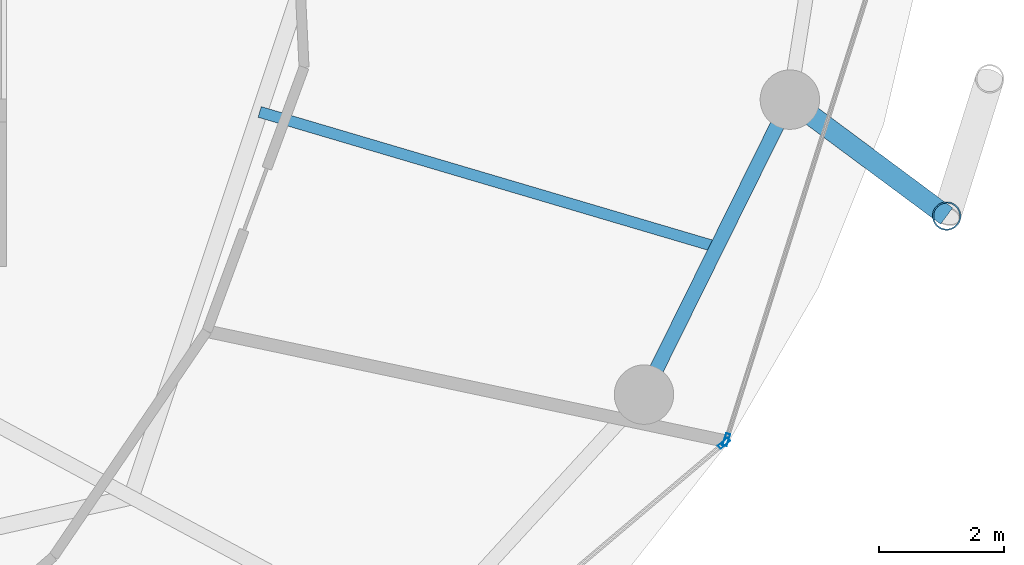
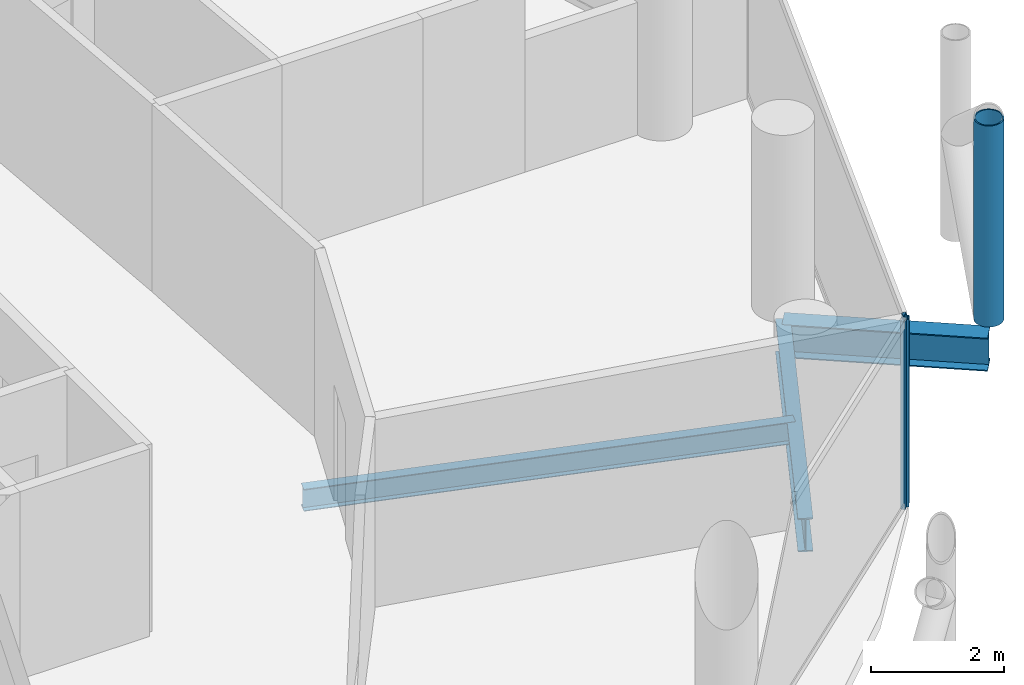
# One storey, part 10 of 26: 3 beams, 3 members, 2 elements without a shape of their own.
"""IFC4 building model written with IfcOpenShell, lengths in metres."""

from ifc_helpers import new_model, si_unit, direction, frame, origin, origin_2d, place, context, subcontext, project, spatial, hollow_rectangle, hollow_circle, i_section, extrude, material, layer, layer_set, material_profile, profile_set, type_object, element, aggregate, save


model = new_model("IFC4")

# Units and contexts
model_context = context("Model", 3, precision=1e-05, world=origin(), true_north=direction((0.0, 1.0)))
body_context = subcontext(model_context, "Body", "Model", "MODEL_VIEW")
ifc_project = project(units=[si_unit("LENGTHUNIT", "METRE"), si_unit("AREAUNIT", "SQUARE_METRE"), si_unit("VOLUMEUNIT", "CUBIC_METRE"), si_unit("PLANEANGLEUNIT", "RADIAN"), si_unit("MASSUNIT", "GRAM", prefix="KILO")], contexts=[model_context])

# Site, building, storey
site_placement = place(None, origin())
site = spatial("IfcSite", under=ifc_project, at=site_placement, CompositionType="ELEMENT")
building_placement = place(site_placement, origin())
building = spatial("IfcBuilding", under=site, at=building_placement, Name="Nuhasar Tower", CompositionType="ELEMENT")
storey_placement = place(building_placement, frame((0.0, 0.0, 177.449951171875)))
storey = spatial("IfcBuildingStorey", under=building, at=storey_placement, Name="L43", CompositionType="ELEMENT", Elevation=177.449951171875)

# Beams
ifc_material_1 = material(Name="Steel S355", Category="steel")
ifc_material_profile_1 = material_profile(ifc_material_1, i_section(OverallWidth=0.177978515625, OverallDepth=0.406005859375, WebThickness=0.0078125, FlangeThickness=0.0126953125, at=origin_2d()), Name="W16X40")
ifc_profile_set_1 = profile_set([ifc_material_profile_1], Name="Steel S355")
beam_type_1 = type_object("IfcBeamType", Name="BM-JST-W16X40", PredefinedType="JOIST", material=ifc_profile_set_1)
beam_1_placement = place(storey_placement, frame((53.0791015625, 21.54296875, -0.452880859375), z_axis=(0.959000494697, -0.283404395116, 0.0), x_axis=(0.283404395116, 0.959000494697, 0.0)))
element("IfcBeam", 1, at=beam_1_placement, inside=storey, type_object=beam_type_1, Name="L43 Secondary Floor Joist 03", PredefinedType="JOIST", context=body_context, shape_type="SweptSolid", body=[
    extrude(i_section(OverallWidth=0.177978515625, OverallDepth=0.406005859375, WebThickness=0.0078125, FlangeThickness=0.0126953125, at=origin_2d()), origin(), (0.0, 0.0, 1.0), 7.621337890625),
])
ifc_material_profile_2 = material_profile(ifc_material_1, i_section(OverallWidth=0.22998046875, OverallDepth=0.616943359375, WebThickness=0.01318359375, FlangeThickness=0.022216796875, at=origin_2d()), Name="W24X94")
ifc_profile_set_2 = profile_set([ifc_material_profile_2], Name="Steel S355")
beam_type_2 = type_object("IfcBeamType", Name="BM-RING-W24X94", PredefinedType="SPANDREL", material=ifc_profile_set_2)
beam_2_placement = place(storey_placement, frame((59.221923828125, 17.02490234375, -0.558837890625), z_axis=(0.443329327657, 0.896358804966, 0.0), x_axis=(-0.896358804966, 0.443329327657, 0.0)))
element("IfcBeam", 2, at=beam_2_placement, inside=storey, type_object=beam_type_2, Name="L43 Perimeter Ring Spandrel 23", PredefinedType="SPANDREL", context=body_context, shape_type="SweptSolid", body=[
    extrude(i_section(OverallWidth=0.22998046875, OverallDepth=0.616943359375, WebThickness=0.01318359375, FlangeThickness=0.022216796875, at=origin_2d()), origin(), (0.0, 0.0, 1.0), 5.26025390625),
])
ifc_material_profile_3 = material_profile(ifc_material_1, i_section(OverallWidth=0.323974609375, OverallDepth=0.611083984375, WebThickness=0.0126953125, FlangeThickness=0.01904296875, at=origin_2d()), Name="W24X104")
ifc_profile_set_3 = profile_set([ifc_material_profile_3], Name="Steel S355")
beam_type_3 = type_object("IfcBeamType", Name="BM-TIE-W24X104", PredefinedType="BEAM", material=ifc_profile_set_3)
beam_3_placement = place(storey_placement, frame((61.553955078125, 21.739990234375, -0.555908203125), z_axis=(0.80283476238, -0.596201597041, 0.0), x_axis=(0.596201597041, 0.80283476238, 0.0)))
element("IfcBeam", 3, at=beam_3_placement, inside=storey, type_object=beam_type_3, Name="L43 Exoskeleton Node Tie Beam 12", PredefinedType="BEAM", context=body_context, shape_type="SweptSolid", body=[
    extrude(i_section(OverallWidth=0.323974609375, OverallDepth=0.611083984375, WebThickness=0.0126953125, FlangeThickness=0.01904296875, at=origin_2d()), origin(), (0.0, 0.0, 1.0), 3.12158203125),
])

# Curtain wall, member
ifc_material_2 = material(Name="Aluminium 6063-T6", Category="aluminium")
ifc_layer = layer(ifc_material_2, 0.199951171875)
ifc_layer_set = layer_set([ifc_layer], Name="Aluminium 6063-T6")
curtain_wall_type = type_object("IfcCurtainWallType", Name="CW-Z2-HTL", PredefinedType="NOTDEFINED", material=ifc_layer_set)
curtain_wall_1_placement = place(storey_placement, origin())
curtain_wall_1 = element("IfcCurtainWall", 4, at=curtain_wall_1_placement, inside=storey, type_object=curtain_wall_type, Name="L43 Unitised Curtain Wall 11", PredefinedType="NOTDEFINED")
ifc_material_profile_4 = material_profile(ifc_material_2, hollow_rectangle(XDim=0.070068359375, YDim=0.199951171875, WallThickness=0.0048828125, at=origin_2d()), Name="CWM-3")
ifc_profile_set_4 = profile_set([ifc_material_profile_4], Name="Aluminium 6063-T6")
member_type_1 = type_object("IfcMemberType", Name="CW-MUL-S3", PredefinedType="MULLION", material=ifc_profile_set_4)
member_1_placement = place(storey_placement, frame((60.502197265625, 16.247314453125, 0.0), z_axis=(0.0, 0.0, 1.0), x_axis=(-0.646374438324, 0.763020370292, 0.0)))
member_1 = element("IfcMember", 5, at=member_1_placement, type_object=member_type_1, Name="CW-Z2 mullion 2", PredefinedType="MULLION", context=body_context, shape_type="SweptSolid", body=[
    extrude(hollow_rectangle(XDim=0.070068359375, YDim=0.199951171875, WallThickness=0.0048828125, at=origin_2d()), origin(), (0.0, 0.0, 1.0), 3.449951171875),
])
aggregate(curtain_wall_1, [member_1])

curtain_wall_2_placement = place(storey_placement, origin())
curtain_wall_2 = element("IfcCurtainWall", 6, at=curtain_wall_2_placement, inside=storey, type_object=curtain_wall_type, Name="L43 Unitised Curtain Wall 12", PredefinedType="NOTDEFINED")
member_2_placement = place(storey_placement, frame((60.53955078125, 16.303466796875, 0.0), z_axis=(0.0, 0.0, 1.0), x_axis=(-0.953433389233, 0.301603667577, 0.0)))
member_2 = element("IfcMember", 7, at=member_2_placement, type_object=member_type_1, Name="CW-Z2 mullion 1", PredefinedType="MULLION", context=body_context, shape_type="SweptSolid", body=[
    extrude(hollow_rectangle(XDim=0.070068359375, YDim=0.199951171875, WallThickness=0.0048828125, at=origin_2d()), origin(), (0.0, 0.0, 1.0), 3.449951171875),
])
aggregate(curtain_wall_2, [member_2])

# Member
ifc_material_3 = material(Name="Steel S460", Category="steel")
ifc_material_profile_5 = material_profile(ifc_material_3, hollow_circle(Radius=0.228515625, WallThickness=0.022216796875, at=origin_2d()), Name="HSS457X22.2")
ifc_profile_set_5 = profile_set([ifc_material_profile_5], Name="Steel S460")
member_type_2 = type_object("IfcMemberType", Name="EXO-BRONZE-457", PredefinedType="BRACE", material=ifc_profile_set_5)
member_3_placement = place(storey_placement, frame((64.06005859375, 19.87890625, 0.0), z_axis=(0.0, 0.0, 1.0), x_axis=(1.0, 0.0, 0.0)))
element("IfcMember", 8, at=member_3_placement, inside=storey, type_object=member_type_2, Name="L43 Exoskeleton Chord Column EC-12A", PredefinedType="BRACE", context=body_context, shape_type="SweptSolid", body=[
    extrude(hollow_circle(Radius=0.228515625, WallThickness=0.022216796875, at=origin_2d()), origin(), (0.0, 0.0, 1.0), 3.699951171875),
])

save(model, "model.ifc")
